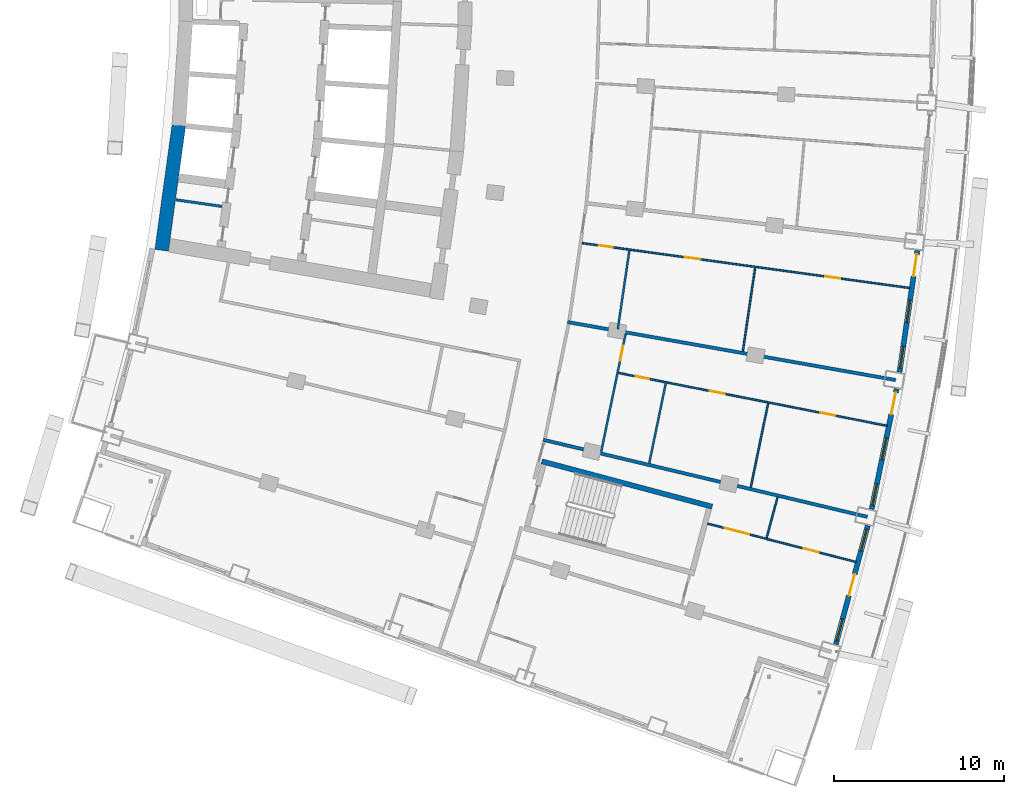
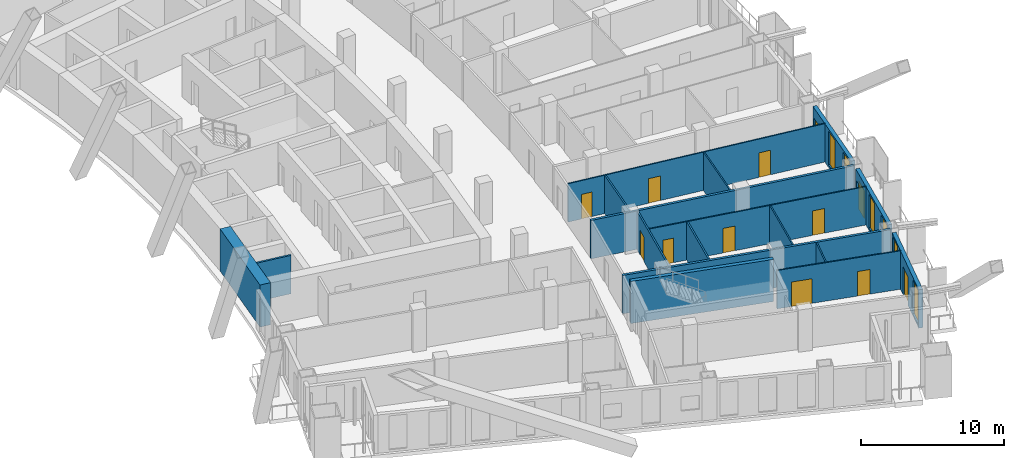
# One storey, part 15 of 25: 17 walls, 12 doors, 6 windows, 18 openings.
"""IFC4 building model written with IfcOpenShell, lengths in metres."""

from ifc_helpers import new_model, si_unit, direction, frame, frame_2d, origin, place, context, subcontext, project, spatial, rectangle, extrude, material, layer, layer_set, type_object, element, fill, save


model = new_model("IFC4")

# Units and contexts
model_context = context("Model", 3, precision=1e-05, world=origin(), true_north=direction((0.0, 1.0)))
body_context = subcontext(model_context, "Body", "Model", "MODEL_VIEW")
ifc_project = project(units=[si_unit("LENGTHUNIT", "METRE"), si_unit("AREAUNIT", "SQUARE_METRE"), si_unit("VOLUMEUNIT", "CUBIC_METRE"), si_unit("PLANEANGLEUNIT", "RADIAN"), si_unit("MASSUNIT", "GRAM", prefix="KILO")], contexts=[model_context])

# Site, building, storey
site_placement = place(None, origin())
site = spatial("IfcSite", under=ifc_project, at=site_placement, CompositionType="ELEMENT")
building_placement = place(site_placement, origin())
building = spatial("IfcBuilding", under=site, at=building_placement, Name="Alderwake Tower", CompositionType="ELEMENT")
storey_placement = place(building_placement, frame((0.0, 0.0, 114.800048828125)))
storey = spatial("IfcBuildingStorey", under=building, at=storey_placement, Name="L28", CompositionType="ELEMENT", Elevation=114.800048828125)

# Walls
ifc_material_1 = material(Name="Gypsum shaft wall system, rated")
ifc_layer_1 = layer(ifc_material_1, 0.14990234375)
ifc_layer_set_1 = layer_set([ifc_layer_1], Name="Core room partition 150")
wall_type_1 = type_object("IfcWallType", Name="Core room partition 150", PredefinedType="PARTITIONING", material=ifc_layer_set_1)
wall_1_placement = place(storey_placement, frame((16.262451171875, 47.096435546875, 0.0), z_axis=(0.0, 0.0, 1.0), x_axis=(0.989725129284, -0.14298310552, 0.0)))
element("IfcWall", 1, at=wall_1_placement, inside=storey, type_object=wall_type_1, Name="CW/L28/PR-150_+0", PredefinedType="PARTITIONING", context=body_context, shape_type="SweptSolid", body=[
    extrude(rectangle(XDim=2.7353515625, YDim=0.14990234375, at=frame_2d((1.36767578125, 0.0))), origin(), (0.0, 0.0, 1.0), 3.280029296875),
])
ifc_material_2 = material(Name="Concrete C70/85", Category="concrete")
ifc_layer_2 = layer(ifc_material_2, 0.800048828125)
ifc_layer_set_2 = layer_set([ifc_layer_2], Name="Core wall outer 800 C70-85")
wall_type_2 = type_object("IfcWallType", Name="Core wall outer 800 C70-85", PredefinedType="SHEAR", material=ifc_layer_set_2)
wall_2_placement = place(storey_placement, frame((15.419921875, 44.12890625, 0.0), z_axis=(0.0, 0.0, 1.0), x_axis=(0.13634256868, 0.990661750531, 0.0)))
element("IfcWall", 2, at=wall_2_placement, inside=storey, type_object=wall_type_2, Name="Core wall CW.042", PredefinedType="SHEAR", context=body_context, shape_type="SweptSolid", body=[
    extrude(rectangle(XDim=7.42578125, YDim=0.800048828125, at=frame_2d((3.712890625, 0.0))), origin(), (0.0, 0.0, 1.0), 3.599853515625),
])
ifc_material_3 = material(Name="Concrete C70/85", Category="concrete")
ifc_layer_3 = layer(ifc_material_3, 0.300048828125)
ifc_layer_set_3 = layer_set([ifc_layer_3], Name="Core wall stair enclosure 300 C70-85")
wall_type_3 = type_object("IfcWallType", Name="Core wall stair enclosure 300 C70-85", PredefinedType="SHEAR", material=ifc_layer_set_3)
wall_3_placement = place(storey_placement, frame((37.75390625, 31.731201171875, 0.0), z_axis=(0.0, 0.0, 1.0), x_axis=(0.966309214305, -0.257383958996, 0.0)))
element("IfcWall", 3, at=wall_3_placement, inside=storey, type_object=wall_type_3, Name="Core wall CW.086", PredefinedType="SHEAR", context=body_context, shape_type="SweptSolid", body=[
    extrude(rectangle(XDim=10.360107421875, YDim=0.300048828125, at=frame_2d((5.18017578125, 0.0))), origin(), (0.0, 0.0, 1.0), 3.599853515625),
])

# Wall, openings, door, windows
ifc_material_4 = material(Name="Precast concrete C50/60 spandrel panel", Category="concrete")
ifc_layer_4 = layer(ifc_material_4, 0.300048828125)
ifc_layer_set_4 = layer_set([ifc_layer_4], Name="External wall EW1 Precast concrete C50/60 spandrel")
wall_type_4 = type_object("IfcWallType", Name="External wall EW1 Precast concrete C50/60 spandrel", PredefinedType="SOLIDWALL", material=ifc_layer_set_4)
wall_4_placement = place(storey_placement, frame((55.03076171875, 20.98046875, 0.0), z_axis=(0.0, 0.0, 1.0), x_axis=(0.259514900315, 0.965739103751, 0.0)))
wall_4 = element("IfcWall", 4, at=wall_4_placement, inside=storey, type_object=wall_type_4, Name="External wall 12", PredefinedType="SOLIDWALL", context=body_context, shape_type="SweptSolid", body=[
    extrude(rectangle(XDim=7.217529296875, YDim=0.300048828125, at=frame_2d((3.60888671875, 0.0))), origin(), (0.0, 0.0, 1.0), 3.280029296875),
])
opening_1_placement = place(wall_4_placement, frame((0.22509765625, 0.0, 0.199951171875)))
opening_1 = element("IfcOpeningElement", 5, at=opening_1_placement, cuts=wall_4, Name="Opening W1", PredefinedType="OPENING", context=body_context, shape_type="SweptSolid", body=[
    extrude(rectangle(XDim=1.300048828125, YDim=2.89990234375, at=frame_2d((0.64990234375, 1.449951171875))), frame((0.0, 0.159912109375, 0.0), z_axis=(0.0, -1.0, 0.0), x_axis=(1.0, 0.0, 0.0)), (0.0, 0.0, 1.0), 0.320068359375),
])
opening_2_placement = place(wall_4_placement, frame((2.958740234375, 0.0, 0.0)))
opening_2 = element("IfcOpeningElement", 6, at=opening_2_placement, cuts=wall_4, Name="Opening D03", PredefinedType="OPENING", context=body_context, shape_type="SweptSolid", body=[
    extrude(rectangle(XDim=1.300048828125, YDim=2.39990234375, at=frame_2d((0.64990234375, 1.199951171875))), frame((0.0, 0.159912109375, 0.0), z_axis=(0.0, -1.0, 0.0), x_axis=(1.0, 0.0, 0.0)), (0.0, 0.0, 1.0), 0.320068359375),
])
opening_3_placement = place(wall_4_placement, frame((5.692138671875, 0.0, 0.199951171875)))
opening_3 = element("IfcOpeningElement", 7, at=opening_3_placement, cuts=wall_4, Name="Opening W1", PredefinedType="OPENING", context=body_context, shape_type="SweptSolid", body=[
    extrude(rectangle(XDim=1.300048828125, YDim=2.89990234375, at=frame_2d((0.64990234375, 1.449951171875))), frame((0.0, 0.159912109375, 0.0), z_axis=(0.0, -1.0, 0.0), x_axis=(1.0, 0.0, 0.0)), (0.0, 0.0, 1.0), 0.320068359375),
])
ifc_material_5 = material(Name="Bronze tinted glass in aluminium frame", Category="aluminium")
door_type_1 = type_object("IfcDoorType", Name="Balcony door BD sliding", OperationType="SLIDING_TO_LEFT", PredefinedType="DOOR", material=ifc_material_5)
door_1_placement = place(opening_2_placement, origin())
door_1 = element("IfcDoor", 8, at=door_1_placement, inside=storey, type_object=door_type_1, Name="Door D03", OperationType="SLIDING_TO_LEFT", OverallHeight=2.39990234375, OverallWidth=1.300048828125, PredefinedType="DOOR", context=body_context, shape_type="SweptSolid", body=[
    extrude(rectangle(XDim=1.300048828125, YDim=2.39990234375, at=frame_2d((0.64990234375, 1.199951171875))), frame((0.0, 0.02490234375, 0.0), z_axis=(0.0, -1.0, 0.0), x_axis=(1.0, 0.0, 0.0)), (0.0, 0.0, 1.0), 0.050048828125),
])
fill(opening_2, door_1)
ifc_material_6 = material(Name="Bronze tinted glass in aluminium frame", Category="aluminium")
window_type = type_object("IfcWindowType", Name="Window W1 tall fixed and vent", PartitioningType="DOUBLE_PANEL_VERTICAL", PredefinedType="WINDOW", material=ifc_material_6)
window_1_placement = place(opening_1_placement, origin())
window_1 = element("IfcWindow", 9, at=window_1_placement, inside=storey, type_object=window_type, Name="Window W1 tall fixed and vent", OverallHeight=2.89990234375, OverallWidth=1.300048828125, PartitioningType="DOUBLE_PANEL_VERTICAL", PredefinedType="WINDOW", context=body_context, shape_type="SweptSolid", body=[
    extrude(rectangle(XDim=1.300048828125, YDim=2.89990234375, at=frame_2d((0.64990234375, 1.449951171875))), frame((0.0, 0.030029296875, 0.0), z_axis=(0.0, -1.0, 0.0), x_axis=(1.0, 0.0, 0.0)), (0.0, 0.0, 1.0), 0.06005859375),
])
fill(opening_1, window_1)
window_2_placement = place(opening_3_placement, origin())
window_2 = element("IfcWindow", 10, at=window_2_placement, inside=storey, type_object=window_type, Name="Window W1 tall fixed and vent", OverallHeight=2.89990234375, OverallWidth=1.300048828125, PartitioningType="DOUBLE_PANEL_VERTICAL", PredefinedType="WINDOW", context=body_context, shape_type="SweptSolid", body=[
    extrude(rectangle(XDim=1.300048828125, YDim=2.89990234375, at=frame_2d((0.64990234375, 1.449951171875))), frame((0.0, 0.030029296875, 0.0), z_axis=(0.0, -1.0, 0.0), x_axis=(1.0, 0.0, 0.0)), (0.0, 0.0, 1.0), 0.06005859375),
])
fill(opening_3, window_2)

wall_5_placement = place(storey_placement, frame((57.13427734375, 28.9208984375, 0.0), z_axis=(0.0, 0.0, 1.0), x_axis=(0.202759964429, 0.979228470187, 0.0)))
wall_5 = element("IfcWall", 11, at=wall_5_placement, inside=storey, type_object=wall_type_4, Name="External wall 13", PredefinedType="SOLIDWALL", context=body_context, shape_type="SweptSolid", body=[
    extrude(rectangle(XDim=7.21728515625, YDim=0.300048828125, at=frame_2d((3.608642578125, 0.0))), origin(), (0.0, 0.0, 1.0), 3.280029296875),
])
opening_4_placement = place(wall_5_placement, frame((0.22509765625, 0.0, 0.199951171875)))
opening_4 = element("IfcOpeningElement", 12, at=opening_4_placement, cuts=wall_5, Name="Opening W1", PredefinedType="OPENING", context=body_context, shape_type="SweptSolid", body=[
    extrude(rectangle(XDim=1.300048828125, YDim=2.89990234375, at=frame_2d((0.64990234375, 1.449951171875))), frame((0.0, 0.159912109375, 0.0), z_axis=(0.0, -1.0, 0.0), x_axis=(1.0, 0.0, 0.0)), (0.0, 0.0, 1.0), 0.320068359375),
])
opening_5_placement = place(wall_5_placement, frame((2.958740234375, 0.0, 0.199951171875)))
opening_5 = element("IfcOpeningElement", 13, at=opening_5_placement, cuts=wall_5, Name="Opening W1", PredefinedType="OPENING", context=body_context, shape_type="SweptSolid", body=[
    extrude(rectangle(XDim=1.300048828125, YDim=2.89990234375, at=frame_2d((0.64990234375, 1.449951171875))), frame((0.0, 0.159912109375, 0.0), z_axis=(0.0, -1.0, 0.0), x_axis=(1.0, 0.0, 0.0)), (0.0, 0.0, 1.0), 0.320068359375),
])
opening_6_placement = place(wall_5_placement, frame((5.692138671875, 0.0, 0.0)))
opening_6 = element("IfcOpeningElement", 14, at=opening_6_placement, cuts=wall_5, Name="Opening D04", PredefinedType="OPENING", context=body_context, shape_type="SweptSolid", body=[
    extrude(rectangle(XDim=1.300048828125, YDim=2.39990234375, at=frame_2d((0.64990234375, 1.199951171875))), frame((0.0, 0.159912109375, 0.0), z_axis=(0.0, -1.0, 0.0), x_axis=(1.0, 0.0, 0.0)), (0.0, 0.0, 1.0), 0.320068359375),
])
door_2_placement = place(opening_6_placement, origin())
door_2 = element("IfcDoor", 15, at=door_2_placement, inside=storey, type_object=door_type_1, Name="Door D04", OperationType="SLIDING_TO_LEFT", OverallHeight=2.39990234375, OverallWidth=1.300048828125, PredefinedType="DOOR", context=body_context, shape_type="SweptSolid", body=[
    extrude(rectangle(XDim=1.300048828125, YDim=2.39990234375, at=frame_2d((0.64990234375, 1.199951171875))), frame((0.0, 0.02490234375, 0.0), z_axis=(0.0, -1.0, 0.0), x_axis=(1.0, 0.0, 0.0)), (0.0, 0.0, 1.0), 0.050048828125),
])
fill(opening_6, door_2)
window_3_placement = place(opening_4_placement, origin())
window_3 = element("IfcWindow", 16, at=window_3_placement, inside=storey, type_object=window_type, Name="Window W1 tall fixed and vent", OverallHeight=2.89990234375, OverallWidth=1.300048828125, PartitioningType="DOUBLE_PANEL_VERTICAL", PredefinedType="WINDOW", context=body_context, shape_type="SweptSolid", body=[
    extrude(rectangle(XDim=1.300048828125, YDim=2.89990234375, at=frame_2d((0.64990234375, 1.449951171875))), frame((0.0, 0.030029296875, 0.0), z_axis=(0.0, -1.0, 0.0), x_axis=(1.0, 0.0, 0.0)), (0.0, 0.0, 1.0), 0.06005859375),
])
fill(opening_4, window_3)
window_4_placement = place(opening_5_placement, origin())
window_4 = element("IfcWindow", 17, at=window_4_placement, inside=storey, type_object=window_type, Name="Window W1 tall fixed and vent", OverallHeight=2.89990234375, OverallWidth=1.300048828125, PartitioningType="DOUBLE_PANEL_VERTICAL", PredefinedType="WINDOW", context=body_context, shape_type="SweptSolid", body=[
    extrude(rectangle(XDim=1.300048828125, YDim=2.89990234375, at=frame_2d((0.64990234375, 1.449951171875))), frame((0.0, 0.030029296875, 0.0), z_axis=(0.0, -1.0, 0.0), x_axis=(1.0, 0.0, 0.0)), (0.0, 0.0, 1.0), 0.06005859375),
])
fill(opening_5, window_4)

wall_6_placement = place(storey_placement, frame((58.771240234375, 36.970458984375, 0.0), z_axis=(0.0, 0.0, 1.0), x_axis=(0.145322588421, 0.989384326384, 0.0)))
wall_6 = element("IfcWall", 18, at=wall_6_placement, inside=storey, type_object=wall_type_4, Name="External wall 14", PredefinedType="SOLIDWALL", context=body_context, shape_type="SweptSolid", body=[
    extrude(rectangle(XDim=7.21728515625, YDim=0.300048828125, at=frame_2d((3.608642578125, 0.0))), origin(), (0.0, 0.0, 1.0), 3.280029296875),
])
opening_7_placement = place(wall_6_placement, frame((0.22509765625, 0.0, 0.199951171875)))
opening_7 = element("IfcOpeningElement", 19, at=opening_7_placement, cuts=wall_6, Name="Opening W1", PredefinedType="OPENING", context=body_context, shape_type="SweptSolid", body=[
    extrude(rectangle(XDim=1.300048828125, YDim=2.89990234375, at=frame_2d((0.64990234375, 1.449951171875))), frame((0.0, 0.159912109375, 0.0), z_axis=(0.0, -1.0, 0.0), x_axis=(1.0, 0.0, 0.0)), (0.0, 0.0, 1.0), 0.320068359375),
])
opening_8_placement = place(wall_6_placement, frame((2.958740234375, 0.0, 0.199951171875)))
opening_8 = element("IfcOpeningElement", 20, at=opening_8_placement, cuts=wall_6, Name="Opening W1", PredefinedType="OPENING", context=body_context, shape_type="SweptSolid", body=[
    extrude(rectangle(XDim=1.300048828125, YDim=2.89990234375, at=frame_2d((0.64990234375, 1.449951171875))), frame((0.0, 0.159912109375, 0.0), z_axis=(0.0, -1.0, 0.0), x_axis=(1.0, 0.0, 0.0)), (0.0, 0.0, 1.0), 0.320068359375),
])
opening_9_placement = place(wall_6_placement, frame((5.692138671875, 0.0, 0.0)))
opening_9 = element("IfcOpeningElement", 21, at=opening_9_placement, cuts=wall_6, Name="Opening D05", PredefinedType="OPENING", context=body_context, shape_type="SweptSolid", body=[
    extrude(rectangle(XDim=1.300048828125, YDim=2.39990234375, at=frame_2d((0.64990234375, 1.199951171875))), frame((0.0, 0.159912109375, 0.0), z_axis=(0.0, -1.0, 0.0), x_axis=(1.0, 0.0, 0.0)), (0.0, 0.0, 1.0), 0.320068359375),
])
door_3_placement = place(opening_9_placement, origin())
door_3 = element("IfcDoor", 22, at=door_3_placement, inside=storey, type_object=door_type_1, Name="Door D05", OperationType="SLIDING_TO_LEFT", OverallHeight=2.39990234375, OverallWidth=1.300048828125, PredefinedType="DOOR", context=body_context, shape_type="SweptSolid", body=[
    extrude(rectangle(XDim=1.300048828125, YDim=2.39990234375, at=frame_2d((0.64990234375, 1.199951171875))), frame((0.0, 0.02490234375, 0.0), z_axis=(0.0, -1.0, 0.0), x_axis=(1.0, 0.0, 0.0)), (0.0, 0.0, 1.0), 0.050048828125),
])
fill(opening_9, door_3)
window_5_placement = place(opening_7_placement, origin())
window_5 = element("IfcWindow", 23, at=window_5_placement, inside=storey, type_object=window_type, Name="Window W1 tall fixed and vent", OverallHeight=2.89990234375, OverallWidth=1.300048828125, PartitioningType="DOUBLE_PANEL_VERTICAL", PredefinedType="WINDOW", context=body_context, shape_type="SweptSolid", body=[
    extrude(rectangle(XDim=1.300048828125, YDim=2.89990234375, at=frame_2d((0.64990234375, 1.449951171875))), frame((0.0, 0.030029296875, 0.0), z_axis=(0.0, -1.0, 0.0), x_axis=(1.0, 0.0, 0.0)), (0.0, 0.0, 1.0), 0.06005859375),
])
fill(opening_7, window_5)
window_6_placement = place(opening_8_placement, origin())
window_6 = element("IfcWindow", 24, at=window_6_placement, inside=storey, type_object=window_type, Name="Window W1 tall fixed and vent", OverallHeight=2.89990234375, OverallWidth=1.300048828125, PartitioningType="DOUBLE_PANEL_VERTICAL", PredefinedType="WINDOW", context=body_context, shape_type="SweptSolid", body=[
    extrude(rectangle(XDim=1.300048828125, YDim=2.89990234375, at=frame_2d((0.64990234375, 1.449951171875))), frame((0.0, 0.030029296875, 0.0), z_axis=(0.0, -1.0, 0.0), x_axis=(1.0, 0.0, 0.0)), (0.0, 0.0, 1.0), 0.06005859375),
])
fill(opening_8, window_6)

# Walls
ifc_material_7 = material(Name="Dense block masonry wall", Category="masonry")
ifc_layer_5 = layer(ifc_material_7, 0.199951171875)
ifc_layer_set_5 = layer_set([ifc_layer_5], Name="Party wall 200")
wall_type_5 = type_object("IfcWallType", Name="Party wall 200", PredefinedType="SOLIDWALL", material=ifc_layer_set_5)
wall_7_placement = place(storey_placement, frame((37.839111328125, 32.994384765625, 0.0), z_axis=(0.0, 0.0, 1.0), x_axis=(0.97289391961, -0.23125185661, 0.0)))
element("IfcWall", 25, at=wall_7_placement, inside=storey, type_object=wall_type_5, Name="WL/L28/W06", PredefinedType="SOLIDWALL", context=body_context, shape_type="SweptSolid", body=[
    extrude(rectangle(XDim=19.57763671875, YDim=0.199951171875, at=frame_2d((9.788818359375, 0.0))), origin(), (0.0, 0.0, 1.0), 3.280029296875),
])
wall_8_placement = place(storey_placement, frame((58.551025390625, 36.50390625, 0.0), z_axis=(0.0, 0.0, 1.0), x_axis=(-0.98474575315, 0.173999430034, 0.0)))
element("IfcWall", 26, at=wall_8_placement, inside=storey, type_object=wall_type_5, Name="WL/L28/W10", PredefinedType="SOLIDWALL", context=body_context, shape_type="SweptSolid", body=[
    extrude(rectangle(XDim=19.580322265625, YDim=0.199951171875, at=frame_2d((9.7900390625, 0.0))), origin(), (0.0, 0.0, 1.0), 3.280029296875),
])

# Wall, openings, doors
ifc_material_8 = material(Name="Gypsum board on metal studs")
ifc_layer_6 = layer(ifc_material_8, 0.10009765625)
ifc_layer_set_6 = layer_set([ifc_layer_6], Name="Unit partition 100")
wall_type_6 = type_object("IfcWallType", Name="Unit partition 100", PredefinedType="PARTITIONING", material=ifc_layer_set_6)
wall_9_placement = place(storey_placement, frame((59.39404296875, 41.909912109375, 0.0), z_axis=(0.0, 0.0, 1.0), x_axis=(-0.990747071899, 0.135721183029, 0.0)))
wall_9 = element("IfcWall", 27, at=wall_9_placement, inside=storey, type_object=wall_type_6, Name="WL/L28/W69", PredefinedType="PARTITIONING", context=body_context, shape_type="SweptSolid", body=[
    extrude(rectangle(XDim=19.4599609375, YDim=0.10009765625, at=frame_2d((9.72998046875, 0.0))), origin(), (0.0, 0.0, 1.0), 3.280029296875),
])
opening_10_placement = place(wall_9_placement, frame((12.46240234375, 0.0, 0.0)))
opening_10 = element("IfcOpeningElement", 28, at=opening_10_placement, cuts=wall_9, Name="Opening R08-U06.1", PredefinedType="OPENING", context=body_context, shape_type="SweptSolid", body=[
    extrude(rectangle(XDim=0.89990234375, YDim=2.10009765625, at=frame_2d((0.449951171875, 1.050048828125))), frame((0.0, 0.06005859375, 0.0), z_axis=(0.0, -1.0, 0.0), x_axis=(1.0, 0.0, 0.0)), (0.0, 0.0, 1.0), 0.1201171875),
])
opening_11_placement = place(wall_9_placement, frame((17.65087890625, 0.0, 0.0)))
opening_11 = element("IfcOpeningElement", 29, at=opening_11_placement, cuts=wall_9, Name="Opening R08-U06.3", PredefinedType="OPENING", context=body_context, shape_type="SweptSolid", body=[
    extrude(rectangle(XDim=0.800048828125, YDim=2.10009765625, at=frame_2d((0.39990234375, 1.050048828125))), frame((0.0, 0.06005859375, 0.0), z_axis=(0.0, -1.0, 0.0), x_axis=(1.0, 0.0, 0.0)), (0.0, 0.0, 1.0), 0.1201171875),
])
opening_12_placement = place(wall_9_placement, frame((4.141357421875, 0.0, 0.0)))
opening_12 = element("IfcOpeningElement", 30, at=opening_12_placement, cuts=wall_9, Name="Opening R08-U06.4", PredefinedType="OPENING", context=body_context, shape_type="SweptSolid", body=[
    extrude(rectangle(XDim=0.89990234375, YDim=2.10009765625, at=frame_2d((0.449951171875, 1.050048828125))), frame((0.0, 0.06005859375, 0.0), z_axis=(0.0, -1.0, 0.0), x_axis=(1.0, 0.0, 0.0)), (0.0, 0.0, 1.0), 0.1201171875),
])
ifc_material_9 = material(Name="Painted timber leaf", Category="wood")
door_type_2 = type_object("IfcDoorType", Name="Bathroom door 800", OperationType="SINGLE_SWING_LEFT", PredefinedType="DOOR", material=ifc_material_9)
door_4_placement = place(opening_11_placement, origin())
door_4 = element("IfcDoor", 31, at=door_4_placement, inside=storey, type_object=door_type_2, Name="DR/L28/U06.3", OperationType="SINGLE_SWING_LEFT", OverallHeight=2.10009765625, OverallWidth=0.800048828125, PredefinedType="DOOR", context=body_context, shape_type="SweptSolid", body=[
    extrude(rectangle(XDim=0.800048828125, YDim=2.10009765625, at=frame_2d((0.39990234375, 1.050048828125))), frame((0.0, 0.02490234375, 0.0), z_axis=(0.0, -1.0, 0.0), x_axis=(1.0, 0.0, 0.0)), (0.0, 0.0, 1.0), 0.050048828125),
])
fill(opening_11, door_4)
ifc_material_10 = material(Name="Painted timber leaf", Category="wood")
door_type_3 = type_object("IfcDoorType", Name="Room door 900", OperationType="SINGLE_SWING_LEFT", PredefinedType="DOOR", material=ifc_material_10)
door_5_placement = place(opening_10_placement, origin())
door_5 = element("IfcDoor", 32, at=door_5_placement, inside=storey, type_object=door_type_3, Name="DR/L28/U06.1", OperationType="SINGLE_SWING_LEFT", OverallHeight=2.10009765625, OverallWidth=0.89990234375, PredefinedType="DOOR", context=body_context, shape_type="SweptSolid", body=[
    extrude(rectangle(XDim=0.89990234375, YDim=2.10009765625, at=frame_2d((0.449951171875, 1.050048828125))), frame((0.0, 0.02490234375, 0.0), z_axis=(0.0, -1.0, 0.0), x_axis=(1.0, 0.0, 0.0)), (0.0, 0.0, 1.0), 0.050048828125),
])
fill(opening_10, door_5)
door_6_placement = place(opening_12_placement, origin())
door_6 = element("IfcDoor", 33, at=door_6_placement, inside=storey, type_object=door_type_3, Name="DR/L28/U06.4", OperationType="SINGLE_SWING_LEFT", OverallHeight=2.10009765625, OverallWidth=0.89990234375, PredefinedType="DOOR", context=body_context, shape_type="SweptSolid", body=[
    extrude(rectangle(XDim=0.89990234375, YDim=2.10009765625, at=frame_2d((0.449951171875, 1.050048828125))), frame((0.0, 0.02490234375, 0.0), z_axis=(0.0, -1.0, 0.0), x_axis=(1.0, 0.0, 0.0)), (0.0, 0.0, 1.0), 0.050048828125),
])
fill(opening_12, door_6)

wall_10_placement = place(storey_placement, frame((58.0439453125, 33.81591796875, 0.0), z_axis=(0.0, 0.0, 1.0), x_axis=(-0.981175785538, 0.193116746747, 0.0)))
wall_10 = element("IfcWall", 34, at=wall_10_placement, inside=storey, type_object=wall_type_6, Name="WL/L28/W74", PredefinedType="PARTITIONING", context=body_context, shape_type="SweptSolid", body=[
    extrude(rectangle(XDim=16.080810546875, YDim=0.10009765625, at=frame_2d((8.04052734375, 0.0))), origin(), (0.0, 0.0, 1.0), 3.280029296875),
])
opening_13_placement = place(wall_10_placement, frame((9.72900390625, 0.0, 0.0)))
opening_13 = element("IfcOpeningElement", 35, at=opening_13_placement, cuts=wall_10, Name="Opening R08-U05.1", PredefinedType="OPENING", context=body_context, shape_type="SweptSolid", body=[
    extrude(rectangle(XDim=0.89990234375, YDim=2.10009765625, at=frame_2d((0.449951171875, 1.050048828125))), frame((0.0, 0.06005859375, 0.0), z_axis=(0.0, -1.0, 0.0), x_axis=(1.0, 0.0, 0.0)), (0.0, 0.0, 1.0), 0.1201171875),
])
opening_14_placement = place(wall_10_placement, frame((14.26220703125, 0.0, 0.0)))
opening_14 = element("IfcOpeningElement", 36, at=opening_14_placement, cuts=wall_10, Name="Opening R08-U05.4", PredefinedType="OPENING", context=body_context, shape_type="SweptSolid", body=[
    extrude(rectangle(XDim=0.800048828125, YDim=2.10009765625, at=frame_2d((0.39990234375, 1.050048828125))), frame((0.0, 0.06005859375, 0.0), z_axis=(0.0, -1.0, 0.0), x_axis=(1.0, 0.0, 0.0)), (0.0, 0.0, 1.0), 0.1201171875),
])
opening_15_placement = place(wall_10_placement, frame((3.107421875, 0.0, 0.0)))
opening_15 = element("IfcOpeningElement", 37, at=opening_15_placement, cuts=wall_10, Name="Opening R08-U05.5", PredefinedType="OPENING", context=body_context, shape_type="SweptSolid", body=[
    extrude(rectangle(XDim=0.89990234375, YDim=2.10009765625, at=frame_2d((0.449951171875, 1.050048828125))), frame((0.0, 0.06005859375, 0.0), z_axis=(0.0, -1.0, 0.0), x_axis=(1.0, 0.0, 0.0)), (0.0, 0.0, 1.0), 0.1201171875),
])
door_7_placement = place(opening_14_placement, origin())
door_7 = element("IfcDoor", 38, at=door_7_placement, inside=storey, type_object=door_type_2, Name="DR/L28/U05.4", OperationType="SINGLE_SWING_LEFT", OverallHeight=2.10009765625, OverallWidth=0.800048828125, PredefinedType="DOOR", context=body_context, shape_type="SweptSolid", body=[
    extrude(rectangle(XDim=0.800048828125, YDim=2.10009765625, at=frame_2d((0.39990234375, 1.050048828125))), frame((0.0, 0.02490234375, 0.0), z_axis=(0.0, -1.0, 0.0), x_axis=(1.0, 0.0, 0.0)), (0.0, 0.0, 1.0), 0.050048828125),
])
fill(opening_14, door_7)
door_8_placement = place(opening_13_placement, origin())
door_8 = element("IfcDoor", 39, at=door_8_placement, inside=storey, type_object=door_type_3, Name="DR/L28/U05.1", OperationType="SINGLE_SWING_LEFT", OverallHeight=2.10009765625, OverallWidth=0.89990234375, PredefinedType="DOOR", context=body_context, shape_type="SweptSolid", body=[
    extrude(rectangle(XDim=0.89990234375, YDim=2.10009765625, at=frame_2d((0.449951171875, 1.050048828125))), frame((0.0, 0.02490234375, 0.0), z_axis=(0.0, -1.0, 0.0), x_axis=(1.0, 0.0, 0.0)), (0.0, 0.0, 1.0), 0.050048828125),
])
fill(opening_13, door_8)
door_9_placement = place(opening_15_placement, origin())
door_9 = element("IfcDoor", 40, at=door_9_placement, inside=storey, type_object=door_type_3, Name="DR/L28/U05.5", OperationType="SINGLE_SWING_LEFT", OverallHeight=2.10009765625, OverallWidth=0.89990234375, PredefinedType="DOOR", context=body_context, shape_type="SweptSolid", body=[
    extrude(rectangle(XDim=0.89990234375, YDim=2.10009765625, at=frame_2d((0.449951171875, 1.050048828125))), frame((0.0, 0.02490234375, 0.0), z_axis=(0.0, -1.0, 0.0), x_axis=(1.0, 0.0, 0.0)), (0.0, 0.0, 1.0), 0.050048828125),
])
fill(opening_15, door_9)

wall_11_placement = place(storey_placement, frame((56.22607421875, 25.81201171875, 0.0), z_axis=(0.0, 0.0, 1.0), x_axis=(-0.968170905341, 0.25029002787, 0.0)))
wall_11 = element("IfcWall", 41, at=wall_11_placement, inside=storey, type_object=wall_type_6, Name="WL/L28/W76", PredefinedType="PARTITIONING", context=body_context, shape_type="SweptSolid", body=[
    extrude(rectangle(XDim=9.013916015625, YDim=0.10009765625, at=frame_2d((4.5068359375, 0.0))), origin(), (0.0, 0.0, 1.0), 3.280029296875),
])
opening_16_placement = place(wall_11_placement, frame((6.481689453125, 0.0, 0.0)))
opening_16 = element("IfcOpeningElement", 42, at=opening_16_placement, cuts=wall_11, Name="Opening R08-U01.2", PredefinedType="OPENING", context=body_context, shape_type="SweptSolid", body=[
    extrude(rectangle(XDim=1.5, YDim=2.10009765625, at=frame_2d((0.75, 1.050048828125))), frame((0.0, 0.06005859375, 0.0), z_axis=(0.0, -1.0, 0.0), x_axis=(1.0, 0.0, 0.0)), (0.0, 0.0, 1.0), 0.1201171875),
])
opening_17_placement = place(wall_11_placement, frame((2.275390625, 0.0, 0.0)))
opening_17 = element("IfcOpeningElement", 43, at=opening_17_placement, cuts=wall_11, Name="Opening R08-U01.3", PredefinedType="OPENING", context=body_context, shape_type="SweptSolid", body=[
    extrude(rectangle(XDim=0.89990234375, YDim=2.10009765625, at=frame_2d((0.449951171875, 1.050048828125))), frame((0.0, 0.06005859375, 0.0), z_axis=(0.0, -1.0, 0.0), x_axis=(1.0, 0.0, 0.0)), (0.0, 0.0, 1.0), 0.1201171875),
])
ifc_material_11 = material(Name="Painted timber leaves", Category="wood")
door_type_4 = type_object("IfcDoorType", Name="Double leaf door 1500", OperationType="DOUBLE_DOOR_SINGLE_SWING", PredefinedType="DOOR", material=ifc_material_11)
door_10_placement = place(opening_16_placement, origin())
door_10 = element("IfcDoor", 44, at=door_10_placement, inside=storey, type_object=door_type_4, Name="DR/L28/U01.2", OperationType="DOUBLE_DOOR_SINGLE_SWING", OverallHeight=2.10009765625, OverallWidth=1.5, PredefinedType="DOOR", context=body_context, shape_type="SweptSolid", body=[
    extrude(rectangle(XDim=1.5, YDim=2.10009765625, at=frame_2d((0.75, 1.050048828125))), frame((0.0, 0.02490234375, 0.0), z_axis=(0.0, -1.0, 0.0), x_axis=(1.0, 0.0, 0.0)), (0.0, 0.0, 1.0), 0.050048828125),
])
fill(opening_16, door_10)
door_11_placement = place(opening_17_placement, origin())
door_11 = element("IfcDoor", 45, at=door_11_placement, inside=storey, type_object=door_type_3, Name="DR/L28/U01.3", OperationType="SINGLE_SWING_LEFT", OverallHeight=2.10009765625, OverallWidth=0.89990234375, PredefinedType="DOOR", context=body_context, shape_type="SweptSolid", body=[
    extrude(rectangle(XDim=0.89990234375, YDim=2.10009765625, at=frame_2d((0.449951171875, 1.050048828125))), frame((0.0, 0.02490234375, 0.0), z_axis=(0.0, -1.0, 0.0), x_axis=(1.0, 0.0, 0.0)), (0.0, 0.0, 1.0), 0.050048828125),
])
fill(opening_17, door_11)

# Walls
wall_12_placement = place(storey_placement, frame((49.568603515625, 38.193115234375, 0.0), z_axis=(0.0, 0.0, 1.0), x_axis=(0.144869634363, 0.989450751195, 0.0)))
element("IfcWall", 46, at=wall_12_placement, inside=storey, type_object=wall_type_6, Name="WL/L28/W78", PredefinedType="PARTITIONING", context=body_context, shape_type="SweptSolid", body=[
    extrude(rectangle(XDim=4.96484375, YDim=0.10009765625, at=frame_2d((2.482421875, 0.0))), origin(), (0.0, 0.0, 1.0), 3.280029296875),
])
wall_13_placement = place(storey_placement, frame((50.0302734375, 30.199951171875, 0.0), z_axis=(0.0, 0.0, 1.0), x_axis=(0.202680800092, 0.979244858692, 0.0)))
element("IfcWall", 47, at=wall_13_placement, inside=storey, type_object=wall_type_6, Name="WL/L28/W80", PredefinedType="PARTITIONING", context=body_context, shape_type="SweptSolid", body=[
    extrude(rectangle(XDim=5.0458984375, YDim=0.10009765625, at=frame_2d((2.52294921875, 0.0))), origin(), (0.0, 0.0, 1.0), 3.280029296875),
])
wall_14_placement = place(storey_placement, frame((50.9619140625, 27.225341796875, 0.0), z_axis=(0.0, 0.0, 1.0), x_axis=(0.260249003849, 0.965541535096, 0.0)))
element("IfcWall", 48, at=wall_14_placement, inside=storey, type_object=wall_type_6, Name="WL/L28/W82", PredefinedType="PARTITIONING", context=body_context, shape_type="SweptSolid", body=[
    extrude(rectangle(XDim=2.478515625, YDim=0.10009765625, at=frame_2d((1.2392578125, 0.0))), origin(), (0.0, 0.0, 1.0), 3.280029296875),
])

# Wall, opening, door
ifc_material_12 = material(Name="Moisture resistant gypsum board on metal studs")
ifc_layer_7 = layer(ifc_material_12, 0.1201171875)
ifc_layer_set_7 = layer_set([ifc_layer_7], Name="Wet room partition 120")
wall_type_7 = type_object("IfcWallType", Name="Wet room partition 120", PredefinedType="PARTITIONING", material=ifc_layer_set_7)
wall_15_placement = place(storey_placement, frame((42.67578125, 39.2080078125, 0.0), z_axis=(0.0, 0.0, 1.0), x_axis=(-0.202695854643, -0.979241742631, 0.0)))
wall_15 = element("IfcWall", 49, at=wall_15_placement, inside=storey, type_object=wall_type_7, Name="WL/L28/W54", PredefinedType="PARTITIONING", context=body_context, shape_type="SweptSolid", body=[
    extrude(rectangle(XDim=7.066650390625, YDim=0.1201171875, at=frame_2d((3.533203125, 0.0))), origin(), (0.0, 0.0, 1.0), 3.280029296875),
])
opening_18_placement = place(wall_15_placement, frame((0.7109375, 0.0, 0.0)))
opening_18 = element("IfcOpeningElement", 50, at=opening_18_placement, cuts=wall_15, Name="Opening R08-U05.3", PredefinedType="OPENING", context=body_context, shape_type="SweptSolid", body=[
    extrude(rectangle(XDim=0.89990234375, YDim=2.10009765625, at=frame_2d((0.449951171875, 1.050048828125))), frame((0.0, 0.070068359375, 0.0), z_axis=(0.0, -1.0, 0.0), x_axis=(1.0, 0.0, 0.0)), (0.0, 0.0, 1.0), 0.14013671875),
])
door_12_placement = place(opening_18_placement, origin())
door_12 = element("IfcDoor", 51, at=door_12_placement, inside=storey, type_object=door_type_3, Name="DR/L28/U05.3", OperationType="SINGLE_SWING_LEFT", OverallHeight=2.10009765625, OverallWidth=0.89990234375, PredefinedType="DOOR", context=body_context, shape_type="SweptSolid", body=[
    extrude(rectangle(XDim=0.89990234375, YDim=2.10009765625, at=frame_2d((0.449951171875, 1.050048828125))), frame((0.0, 0.02490234375, 0.0), z_axis=(0.0, -1.0, 0.0), x_axis=(1.0, 0.0, 0.0)), (0.0, 0.0, 1.0), 0.050048828125),
])
fill(opening_18, door_12)

# Walls
wall_16_placement = place(storey_placement, frame((42.218505859375, 39.491943359375, 0.0), z_axis=(0.0, 0.0, 1.0), x_axis=(0.145515042, 0.989356039326, 0.0)))
element("IfcWall", 52, at=wall_16_placement, inside=storey, type_object=wall_type_7, Name="WL/L28/W55", PredefinedType="PARTITIONING", context=body_context, shape_type="SweptSolid", body=[
    extrude(rectangle(XDim=4.67431640625, YDim=0.1201171875, at=frame_2d((2.337158203125, 0.0))), origin(), (0.0, 0.0, 1.0), 3.280029296875),
])
wall_17_placement = place(storey_placement, frame((44.06640625, 31.615966796875, 0.0), z_axis=(0.0, 0.0, 1.0), x_axis=(0.202632459684, 0.979254862782, 0.0)))
element("IfcWall", 53, at=wall_17_placement, inside=storey, type_object=wall_type_7, Name="WL/L28/W61", PredefinedType="PARTITIONING", context=body_context, shape_type="SweptSolid", body=[
    extrude(rectangle(XDim=4.809814453125, YDim=0.1201171875, at=frame_2d((2.40478515625, 0.0))), origin(), (0.0, 0.0, 1.0), 3.280029296875),
])

save(model, "model.ifc")
